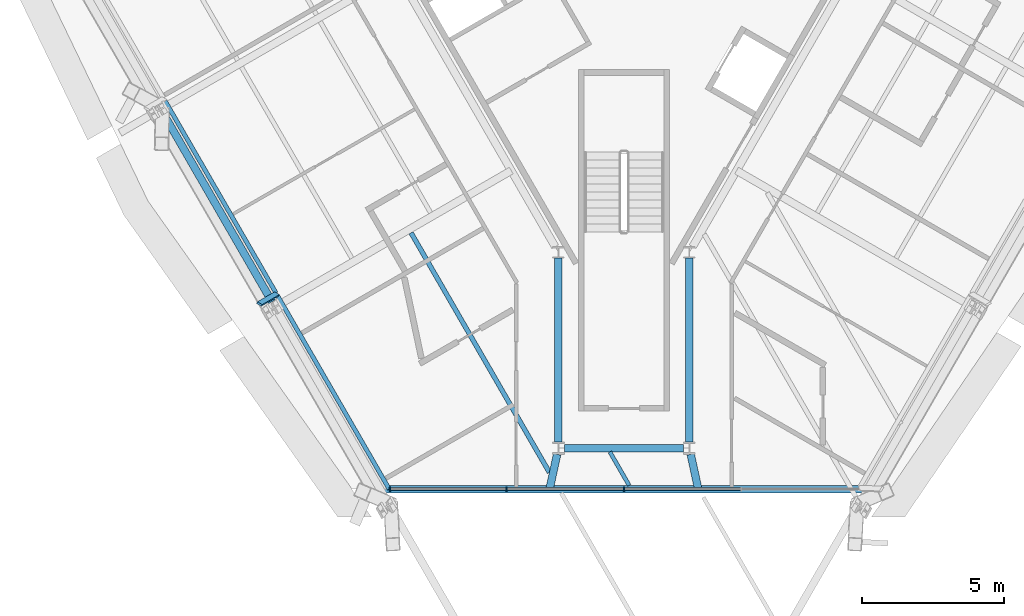
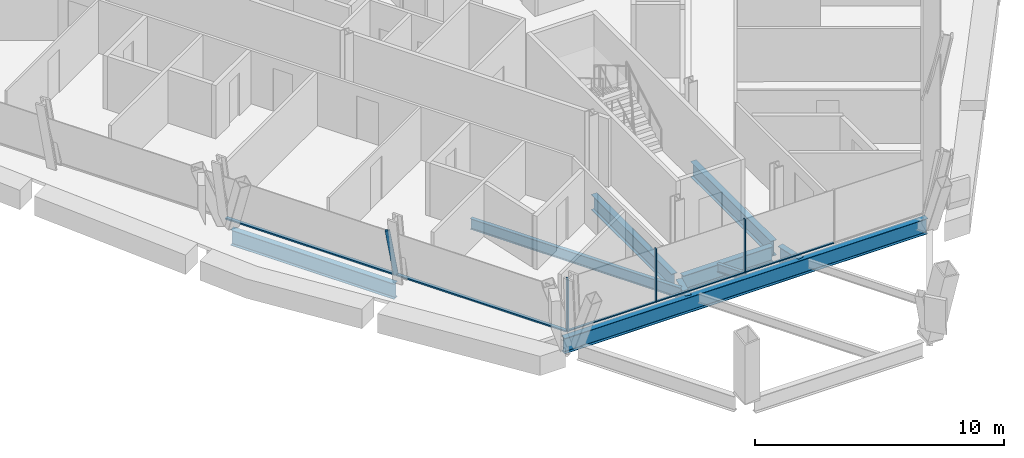
# One storey, part 3 of 15: 9 beams, 9 members, 2 elements without a shape of their own.
"""IFC4 building model written with IfcOpenShell, lengths in metres."""

from ifc_helpers import new_model, si_unit, direction, frame, origin, origin_2d, place, context, subcontext, project, spatial, rectangle, i_section, extrude, material, material_profile, profile_set, type_object, element, aggregate, save


model = new_model("IFC4")

# Units and contexts
model_context = context("Model", 3, precision=1e-05, world=origin(), true_north=direction((0.0, 1.0)))
body_context = subcontext(model_context, "Body", "Model", "MODEL_VIEW")
ifc_project = project(units=[si_unit("LENGTHUNIT", "METRE"), si_unit("AREAUNIT", "SQUARE_METRE"), si_unit("VOLUMEUNIT", "CUBIC_METRE"), si_unit("PLANEANGLEUNIT", "RADIAN"), si_unit("MASSUNIT", "GRAM", prefix="KILO")], contexts=[model_context])

# Site, building, storey
site_placement = place(None, origin())
site = spatial("IfcSite", under=ifc_project, at=site_placement, CompositionType="ELEMENT")
building_placement = place(site_placement, origin())
building = spatial("IfcBuilding", under=site, at=building_placement, Name="Verrane Prism Tower", CompositionType="ELEMENT")
storey_placement = place(building_placement, frame((0.0, 0.0, 118.0)))
storey = spatial("IfcBuildingStorey", under=building, at=storey_placement, Name="L28", CompositionType="ELEMENT", Elevation=118.0)

# Beams
ifc_material_1 = material(Name="Steel A992", Category="steel")
ifc_material_profile_1 = material_profile(ifc_material_1, i_section(OverallWidth=0.2666015625, OverallDepth=0.7568359375, WebThickness=0.013916015625, FlangeThickness=0.019287109375, FilletRadius=0.0166015625, at=origin_2d()), Name="W30x108")
ifc_profile_set_1 = profile_set([ifc_material_profile_1], Name="Steel A992")
beam_type_1 = type_object("IfcBeamType", Name="Core ring girder W30x108", PredefinedType="BEAM", material=ifc_profile_set_1)
beam_1_placement = place(storey_placement, frame((-2.300048828125, -14.619384765625, -0.62841796875), z_axis=(0.0, -1.0, 0.0), x_axis=(1.0, 0.0, 0.0)))
element("IfcBeam", 1, at=beam_1_placement, inside=storey, type_object=beam_type_1, Name="Core ring girder L28", PredefinedType="BEAM", context=body_context, shape_type="SweptSolid", body=[
    extrude(i_section(OverallWidth=0.2666015625, OverallDepth=0.7568359375, WebThickness=0.013916015625, FlangeThickness=0.019287109375, FilletRadius=0.0166015625, at=origin_2d()), origin(), (0.0, 0.0, 1.0), 6.46337890625),
])
beam_2_placement = place(storey_placement, frame((-2.09423828125, -21.300048828125, -0.62841796875), z_axis=(1.0, 0.0, 0.0), x_axis=(0.0, 1.0, 0.0)))
element("IfcBeam", 2, at=beam_2_placement, inside=storey, type_object=beam_type_1, Name="Core ring girder L28", PredefinedType="BEAM", context=body_context, shape_type="SweptSolid", body=[
    extrude(i_section(OverallWidth=0.2666015625, OverallDepth=0.7568359375, WebThickness=0.013916015625, FlangeThickness=0.019287109375, FilletRadius=0.0166015625, at=origin_2d()), origin(), (0.0, 0.0, 1.0), 4.1884765625),
])
beam_3_placement = place(storey_placement, frame((2.300048828125, -21.082763671875, -0.62841796875), z_axis=(0.0, 1.0, 0.0), x_axis=(-1.0, 0.0, 0.0)))
element("IfcBeam", 3, at=beam_3_placement, inside=storey, type_object=beam_type_1, Name="Core ring girder L28", PredefinedType="BEAM", context=body_context, shape_type="SweptSolid", body=[
    extrude(i_section(OverallWidth=0.2666015625, OverallDepth=0.7568359375, WebThickness=0.013916015625, FlangeThickness=0.019287109375, FilletRadius=0.0166015625, at=origin_2d()), origin(), (0.0, 0.0, 1.0), 6.46337890625),
])
ifc_material_2 = material(Name="Steel A992", Category="steel")
ifc_material_profile_2 = material_profile(ifc_material_2, i_section(OverallWidth=0.2666015625, OverallDepth=0.76708984375, WebThickness=0.014892578125, FlangeThickness=0.023681640625, FilletRadius=0.0166015625, at=origin_2d()), Name="W30x124")
ifc_profile_set_2 = profile_set([ifc_material_profile_2], Name="Steel A992")
beam_type_2 = type_object("IfcBeamType", Name="Corner girder W30x124", PredefinedType="BEAM", material=ifc_profile_set_2)
for number, where, z_axis, x_axis, name in (
    (4, (-2.612060546875, -22.73779296875, -0.603515625), (0.212064481621, 0.977255675673, 0.0), (-0.977255675673, 0.212064481621, 0.0), "Corner girder L28"),
    (5, (2.612060546875, -22.73779296875, -0.603515625), (-0.212064481621, 0.977255675673, 0.0), (-0.977255675673, -0.212064481621, 0.0), "Corner girder L28"),
):
    element("IfcBeam", number, at=place(storey_placement, frame(where, z_axis=z_axis, x_axis=x_axis)), inside=storey, type_object=beam_type_2, Name=name, PredefinedType="BEAM", context=body_context, shape_type="SweptSolid", body=[
        extrude(i_section(OverallWidth=0.2666015625, OverallDepth=0.76708984375, WebThickness=0.014892578125, FlangeThickness=0.023681640625, FilletRadius=0.0166015625, at=origin_2d()), origin(), (0.0, 0.0, 1.0), 1.2490234375),
    ])
ifc_material_3 = material(Name="Steel A992", Category="steel")
ifc_material_profile_3 = material_profile(ifc_material_3, i_section(OverallWidth=0.140380859375, OverallDepth=0.40380859375, WebThickness=0.007080078125, FlangeThickness=0.01123046875, FilletRadius=0.01025390625, at=origin_2d()), Name="W16x31")
ifc_profile_set_3 = profile_set([ifc_material_profile_3], Name="Steel A992")
beam_type_3 = type_object("IfcBeamType", Name="Floor beam W16x31", PredefinedType="BEAM", material=ifc_profile_set_3)
beam_4_placement = place(storey_placement, frame((0.18359375, -22.6064453125, -0.36181640625), z_axis=(-0.500055336774, 0.865993452726, 0.0), x_axis=(-0.865993452726, -0.500055336774, 0.0)))
element("IfcBeam", 6, at=beam_4_placement, inside=storey, type_object=beam_type_3, Name="Floor beam L28", PredefinedType="BEAM", context=body_context, shape_type="SweptSolid", body=[
    extrude(i_section(OverallWidth=0.140380859375, OverallDepth=0.40380859375, WebThickness=0.007080078125, FlangeThickness=0.01123046875, FilletRadius=0.01025390625, at=origin_2d()), origin(), (0.0, 0.0, 1.0), 1.354248046875),
])
ifc_material_4 = material(Name="Steel A992", Category="steel")
ifc_material_profile_4 = material_profile(ifc_material_4, i_section(OverallWidth=0.1650390625, OverallDepth=0.52587890625, WebThickness=0.0087890625, FlangeThickness=0.011474609375, FilletRadius=0.0126953125, at=origin_2d()), Name="W21x44")
ifc_profile_set_4 = profile_set([ifc_material_profile_4], Name="Steel A992")
beam_type_4 = type_object("IfcBeamType", Name="Floor beam W21x44", PredefinedType="BEAM", material=ifc_profile_set_4)
beam_5_placement = place(storey_placement, frame((-2.619384765625, -22.15087890625, -0.4228515625), z_axis=(-0.500010956849, 0.866019077752, 0.0), x_axis=(-0.866019077752, -0.500010956849, 0.0)))
element("IfcBeam", 7, at=beam_5_placement, inside=storey, type_object=beam_type_4, Name="Floor beam L28", PredefinedType="BEAM", context=body_context, shape_type="SweptSolid", body=[
    extrude(i_section(OverallWidth=0.1650390625, OverallDepth=0.52587890625, WebThickness=0.0087890625, FlangeThickness=0.011474609375, FilletRadius=0.0126953125, at=origin_2d()), origin(), (0.0, 0.0, 1.0), 9.718017578125),
])

# Curtain wall, members
ifc_material_5 = material(Name="Aluminium framed insulated glazing", Category="aluminium")
curtain_wall_type_1 = type_object("IfcCurtainWallType", Name="Curtain wall CW-C 4200 module", PredefinedType="NOTDEFINED", material=ifc_material_5)
curtain_wall_1_placement = place(storey_placement, origin())
curtain_wall_1 = element("IfcCurtainWall", 8, at=curtain_wall_1_placement, inside=storey, type_object=curtain_wall_type_1, Name="Glazed curtain wall garden cut line L28 1", PredefinedType="NOTDEFINED")
ifc_material_6 = material(Name="Aluminium alloy 6063-T6", Category="aluminium")
ifc_material_profile_5 = material_profile(ifc_material_6, rectangle(XDim=0.139892578125, YDim=0.050048828125, at=origin_2d()), Name="Mullion 50x140 aluminium")
ifc_profile_set_5 = profile_set([ifc_material_profile_5], Name="Aluminium alloy 6063-T6")
member_type_1 = type_object("IfcMemberType", Name="Mullion 50x140 aluminium", PredefinedType="MULLION", material=ifc_profile_set_5)
member_1_placement = place(storey_placement, frame((-8.221923828125, -22.73779296875, 0.0), z_axis=(0.0, 0.0, 1.0), x_axis=(0.0, 1.0, 0.0)))
member_1 = element("IfcMember", 9, at=member_1_placement, type_object=member_type_1, Name="CW27.5.1 mullion 1", PredefinedType="MULLION", context=body_context, shape_type="SweptSolid", body=[
    extrude(rectangle(XDim=0.139892578125, YDim=0.050048828125, at=origin_2d()), origin(), (0.0, 0.0, 1.0), 2.61279296875),
])
member_2_placement = place(storey_placement, frame((-4.12353515625, -22.73779296875, 0.0), z_axis=(0.0, 0.0, 1.0), x_axis=(0.0, 1.0, 0.0)))
member_2 = element("IfcMember", 10, at=member_2_placement, type_object=member_type_1, Name="CW27.5.1 mullion 2", PredefinedType="MULLION", context=body_context, shape_type="SweptSolid", body=[
    extrude(rectangle(XDim=0.139892578125, YDim=0.050048828125, at=origin_2d()), origin(), (0.0, 0.0, 1.0), 2.61279296875),
])
member_3_placement = place(storey_placement, frame((0.0, -22.73779296875, 0.0), z_axis=(0.0, 0.0, 1.0), x_axis=(0.0, 1.0, 0.0)))
member_3 = element("IfcMember", 11, at=member_3_placement, type_object=member_type_1, Name="CW27.5.1 mullion 3", PredefinedType="MULLION", context=body_context, shape_type="SweptSolid", body=[
    extrude(rectangle(XDim=0.139892578125, YDim=0.050048828125, at=origin_2d()), origin(), (0.0, 0.0, 1.0), 2.61279296875),
])

# Curtain wall, member
ifc_material_7 = material(Name="Aluminium framed insulated glazing", Category="aluminium")
curtain_wall_type_2 = type_object("IfcCurtainWallType", Name="Curtain wall CW-A 8400 module", PredefinedType="NOTDEFINED", material=ifc_material_7)
curtain_wall_2_placement = place(storey_placement, origin())
curtain_wall_2 = element("IfcCurtainWall", 12, at=curtain_wall_2_placement, inside=storey, type_object=curtain_wall_type_2, Name="Glazed curtain wall south-west face L28", PredefinedType="NOTDEFINED")
ifc_material_8 = material(Name="Aluminium alloy 6063-T6", Category="aluminium")
ifc_material_profile_6 = material_profile(ifc_material_8, rectangle(XDim=0.199951171875, YDim=0.070068359375, at=origin_2d()), Name="Mullion 70x200 aluminium")
ifc_profile_set_6 = profile_set([ifc_material_profile_6], Name="Aluminium alloy 6063-T6")
member_type_2 = type_object("IfcMemberType", Name="Mullion 70x200 aluminium", PredefinedType="MULLION", material=ifc_profile_set_6)
member_4_placement = place(storey_placement, frame((-12.203125, -15.885498046875, 0.0), z_axis=(-0.224110998518, -0.129339935915, 0.965942773316), x_axis=(0.851191428087, -0.508659599874, 0.129377603188)))
member_4 = element("IfcMember", 13, at=member_4_placement, type_object=member_type_2, Name="CW27.4 mullion 5", PredefinedType="MULLION", context=body_context, shape_type="SweptSolid", body=[
    extrude(rectangle(XDim=0.199951171875, YDim=0.070068359375, at=origin_2d()), origin(), (0.0, 0.0, 1.0), 2.704833984375),
])

# Beams
ifc_material_9 = material(Name="Steel A992", Category="steel")
ifc_material_profile_7 = material_profile(ifc_material_9, i_section(OverallWidth=0.2666015625, OverallDepth=0.7568359375, WebThickness=0.013916015625, FlangeThickness=0.019287109375, FilletRadius=0.0166015625, at=origin_2d()), Name="W30x108")
ifc_profile_set_7 = profile_set([ifc_material_profile_7], Name="Steel A992")
beam_type_5 = type_object("IfcBeamType", Name="Slab edge girder W30x108", PredefinedType="BEAM", material=ifc_profile_set_7)
beam_6_placement = place(storey_placement, frame((8.4150390625, -22.73779296875, -0.598388671875), z_axis=(-1.0, 0.0, 0.0), x_axis=(0.0, -1.0, 0.0)))
element("IfcBeam", 14, at=beam_6_placement, inside=storey, type_object=beam_type_5, Name="Slab edge girder L28", PredefinedType="BEAM", context=body_context, shape_type="SweptSolid", body=[
    extrude(i_section(OverallWidth=0.2666015625, OverallDepth=0.7568359375, WebThickness=0.013916015625, FlangeThickness=0.019287109375, FilletRadius=0.0166015625, at=origin_2d()), origin(), (0.0, 0.0, 1.0), 16.830078125),
])
ifc_material_10 = material(Name="Steel A992", Category="steel")
ifc_material_profile_8 = material_profile(ifc_material_10, i_section(OverallWidth=0.2666015625, OverallDepth=0.7568359375, WebThickness=0.013916015625, FlangeThickness=0.019287109375, FilletRadius=0.0166015625, at=origin_2d()), Name="W30x108")
ifc_profile_set_8 = profile_set([ifc_material_profile_8], Name="Steel A992")
beam_type_6 = type_object("IfcBeamType", Name="Spandrel beam W30x108", PredefinedType="SPANDREL", material=ifc_profile_set_8)
beam_7_placement = place(storey_placement, frame((-16.1640625, -9.57373046875, -0.53857421875), z_axis=(0.499770658239, -0.866157773828, 0.0), x_axis=(0.866157773828, 0.499770658239, 0.0)))
element("IfcBeam", 15, at=beam_7_placement, inside=storey, type_object=beam_type_6, Name="Spandrel beam L28", PredefinedType="SPANDREL", context=body_context, shape_type="SweptSolid", body=[
    extrude(i_section(OverallWidth=0.2666015625, OverallDepth=0.7568359375, WebThickness=0.013916015625, FlangeThickness=0.019287109375, FilletRadius=0.0166015625, at=origin_2d()), origin(), (0.0, 0.0, 1.0), 7.599609375),
])

# Member
ifc_material_11 = material(Name="Aluminium alloy 6063-T6", Category="aluminium")
ifc_material_profile_9 = material_profile(ifc_material_11, rectangle(XDim=0.10009765625, YDim=0.050048828125, at=origin_2d()), Name="Transom 50x100 aluminium")
ifc_profile_set_9 = profile_set([ifc_material_profile_9], Name="Aluminium alloy 6063-T6")
member_type_3 = type_object("IfcMemberType", Name="Transom 50x100 aluminium", PredefinedType="USERDEFINED", material=ifc_profile_set_9)
member_5_placement = place(storey_placement, frame((-8.197021484375, -22.73779296875, 0.02490234375), z_axis=(1.0, 0.0, 0.0), x_axis=(0.0, 1.0, 0.0)))
member_5 = element("IfcMember", 16, at=member_5_placement, type_object=member_type_3, Name="CW27.5.1 transom 1", ObjectType="TRANSOM", PredefinedType="USERDEFINED", context=body_context, shape_type="SweptSolid", body=[
    extrude(rectangle(XDim=0.10009765625, YDim=0.050048828125, at=origin_2d()), origin(), (0.0, 0.0, 1.0), 4.048583984375),
])

member_6_placement = place(storey_placement, frame((-4.098388671875, -22.73779296875, 0.02490234375), z_axis=(1.0, 0.0, 0.0), x_axis=(0.0, 1.0, 0.0)))
member_6 = element("IfcMember", 17, at=member_6_placement, type_object=member_type_3, Name="CW27.5.1 transom 2", ObjectType="TRANSOM", PredefinedType="USERDEFINED", context=body_context, shape_type="SweptSolid", body=[
    extrude(rectangle(XDim=0.10009765625, YDim=0.050048828125, at=origin_2d()), origin(), (0.0, 0.0, 1.0), 4.073486328125),
])

member_7_placement = place(storey_placement, frame((0.02490234375, -22.73779296875, 0.02490234375), z_axis=(1.0, 0.0, 0.0), x_axis=(0.0, 1.0, 0.0)))
member_7 = element("IfcMember", 18, at=member_7_placement, type_object=member_type_3, Name="CW27.5.1 transom 3", ObjectType="TRANSOM", PredefinedType="USERDEFINED", context=body_context, shape_type="SweptSolid", body=[
    extrude(rectangle(XDim=0.10009765625, YDim=0.050048828125, at=origin_2d()), origin(), (0.0, 0.0, 1.0), 4.073486328125),
])

aggregate(curtain_wall_1, [member_1, member_2, member_3, member_5, member_6, member_7])

ifc_material_12 = material(Name="Aluminium alloy 6063-T6", Category="aluminium")
ifc_material_profile_10 = material_profile(ifc_material_12, rectangle(XDim=0.14990234375, YDim=0.070068359375, at=origin_2d()), Name="Transom 70x150 aluminium")
ifc_profile_set_10 = profile_set([ifc_material_profile_10], Name="Aluminium alloy 6063-T6")
member_type_4 = type_object("IfcMemberType", Name="Transom 70x150 aluminium", PredefinedType="USERDEFINED", material=ifc_profile_set_10)
member_8_placement = place(storey_placement, frame((-16.141845703125, -9.0634765625, 0.034912109375), z_axis=(0.499992828865, -0.866029544001, 0.0), x_axis=(0.866029544001, 0.499992828865, 0.0)))
member_8 = element("IfcMember", 19, at=member_8_placement, type_object=member_type_4, Name="CW27.4 transom 4", ObjectType="TRANSOM", PredefinedType="USERDEFINED", context=body_context, shape_type="SweptSolid", body=[
    extrude(rectangle(XDim=0.14990234375, YDim=0.070068359375, at=origin_2d()), origin(), (0.0, 0.0, 1.0), 7.84228515625),
])

member_9_placement = place(storey_placement, frame((-12.185791015625, -15.915771484375, 0.034912109375), z_axis=(0.500002357631, -0.866024042601, 0.0), x_axis=(0.866024042601, 0.500002357631, 0.0)))
member_9 = element("IfcMember", 20, at=member_9_placement, type_object=member_type_4, Name="CW27.4 transom 5", ObjectType="TRANSOM", PredefinedType="USERDEFINED", context=body_context, shape_type="SweptSolid", body=[
    extrude(rectangle(XDim=0.14990234375, YDim=0.070068359375, at=origin_2d()), origin(), (0.0, 0.0, 1.0), 7.87744140625),
])

aggregate(curtain_wall_2, [member_4, member_8, member_9])

save(model, "model.ifc")
